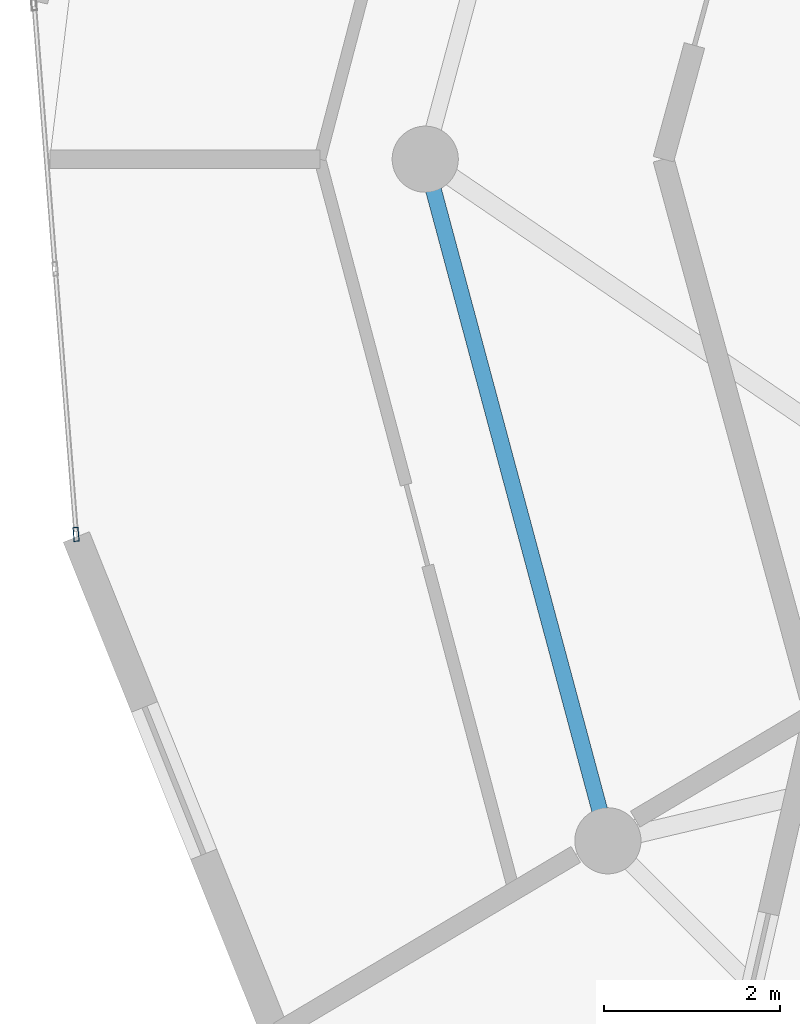
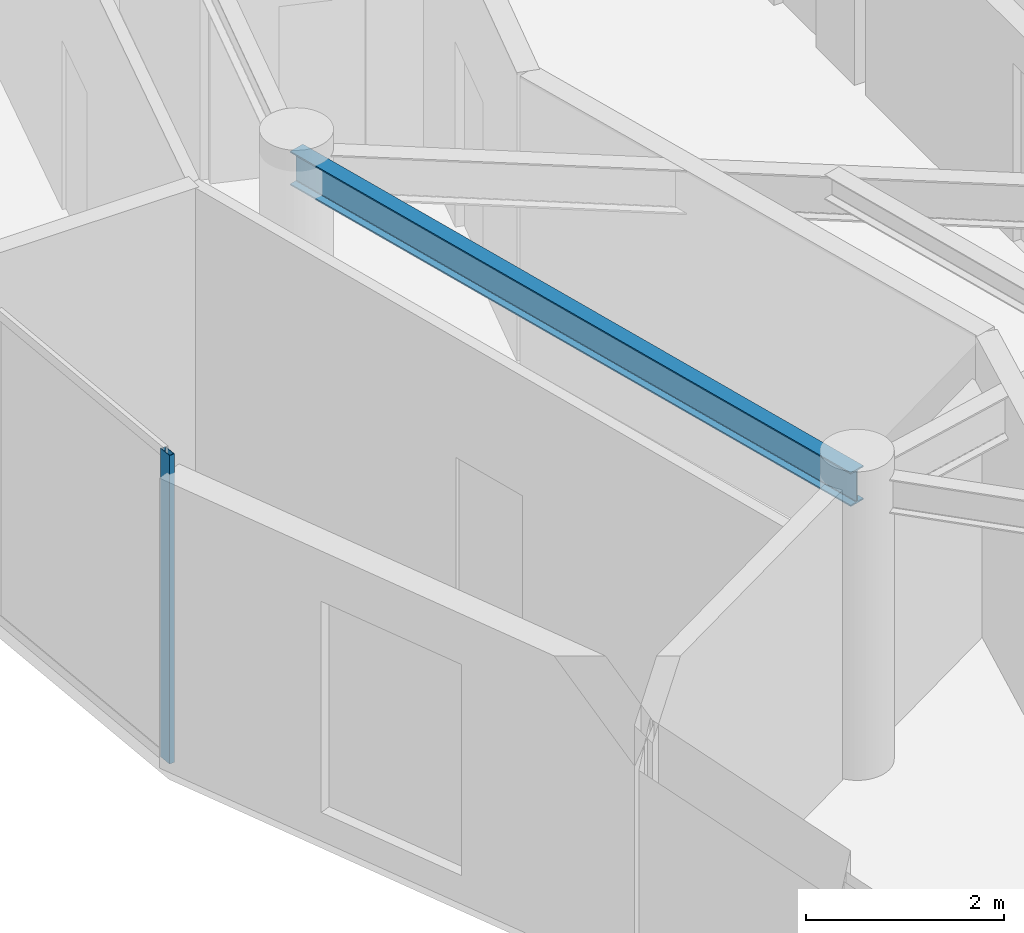
# One storey, part 3 of 22: 1 beam, 1 member, 1 element without a shape of its own.
"""IFC4 building model written with IfcOpenShell, lengths in metres."""

from ifc_helpers import new_model, si_unit, direction, frame, origin, origin_2d, place, context, subcontext, project, spatial, hollow_rectangle, i_section, extrude, source, transform, mapped, material, layer, layer_set, material_profile, profile_set, type_object, element, aggregate, save


model = new_model("IFC4")

# Units and contexts
model_context = context("Model", 3, precision=1e-05, world=origin(), true_north=direction((0.0, 1.0)))
body_context = subcontext(model_context, "Body", "Model", "MODEL_VIEW")
ifc_project = project(units=[si_unit("LENGTHUNIT", "METRE"), si_unit("AREAUNIT", "SQUARE_METRE"), si_unit("VOLUMEUNIT", "CUBIC_METRE"), si_unit("PLANEANGLEUNIT", "RADIAN"), si_unit("MASSUNIT", "GRAM", prefix="KILO")], contexts=[model_context])

# Site, building, storey
site_placement = place(None, origin())
site = spatial("IfcSite", under=ifc_project, at=site_placement, CompositionType="ELEMENT")
building_placement = place(site_placement, origin())
building = spatial("IfcBuilding", under=site, at=building_placement, Name="Solvirekh Grand Hotel", CompositionType="ELEMENT")
storey_placement = place(building_placement, frame((0.0, 0.0, 239.199951171875)))
storey = spatial("IfcBuildingStorey", under=building, at=storey_placement, Name="L62", CompositionType="ELEMENT", Elevation=239.199951171875)

# Beam
ifc_material_1 = material(Name="Steel S355", Category="steel")
ifc_material_profile_1 = material_profile(ifc_material_1, i_section(OverallWidth=0.180908203125, OverallDepth=0.4169921875, WebThickness=0.010009765625, FlangeThickness=0.01611328125, FilletRadius=0.011962890625, at=origin_2d()), Name="W410X85")
ifc_profile_set_1 = profile_set([ifc_material_profile_1], Name="Steel S355")
beam_type = type_object("IfcBeamType", Name="Spandrel_Ring_W410", PredefinedType="SPANDREL", material=ifc_profile_set_1)
beam_placement = place(storey_placement, frame((-15.449951171875, 0.0, 3.362060546875), z_axis=(0.258834757072, -0.965921616143, 0.0), x_axis=(0.965921616143, 0.258834757072, 0.0)))
element("IfcBeam", 1, at=beam_placement, inside=storey, type_object=beam_type, Name="L62 perimeter spandrel beam 7", PredefinedType="SPANDREL", context=body_context, shape_type="SweptSolid", body=[
    extrude(i_section(OverallWidth=0.180908203125, OverallDepth=0.4169921875, WebThickness=0.010009765625, FlangeThickness=0.01611328125, FilletRadius=0.011962890625, at=origin_2d()), origin(), (0.0, 0.0, 1.0), 7.99755859375),
])

# Curtain wall, member
ifc_material_2 = material(Name="Anodized Bronze Aluminium 6063-T6", Category="aluminium")
ifc_layer = layer(ifc_material_2, 0.159912109375)
ifc_layer_set = layer_set([ifc_layer], Name="Anodized Bronze Aluminium 6063-T6")
curtain_wall_type = type_object("IfcCurtainWallType", Name="CW_Sys4_HighZoneFlushBronzeCW", PredefinedType="NOTDEFINED", material=ifc_layer_set)
curtain_wall_placement = place(storey_placement, origin())
curtain_wall = element("IfcCurtainWall", 2, at=curtain_wall_placement, inside=storey, type_object=curtain_wall_type, Name="L62 unitised bronze-glass curtain wall CW-L62-C15", PredefinedType="NOTDEFINED")
ifc_material_profile_2 = material_profile(ifc_material_2, hollow_rectangle(XDim=0.06005859375, YDim=0.159912109375, WallThickness=0.0048828125, at=origin_2d()), Name="ALU RHS 160X60X5")
ifc_profile_set_2 = profile_set([ifc_material_profile_2], Name="Anodized Bronze Aluminium 6063-T6")
member_type = type_object("IfcMemberType", Name="CWMullion_Sys4", PredefinedType="MULLION", material=ifc_profile_set_2)
shared_shape = source(origin(), body_context, "Body", "SweptSolid", [
    extrude(hollow_rectangle(XDim=0.06005859375, YDim=0.159912109375, WallThickness=0.0048828125, at=origin_2d()), origin(), (0.0, 0.0, 1.0), 3.800048828125),
])
member_placement = place(storey_placement, frame((-19.407470703125, -4.252197265625, 0.0), z_axis=(0.0, 0.0, 1.0), x_axis=(0.996869293159, 0.079067138283, 0.0)))
member = element("IfcMember", 3, at=member_placement, type_object=member_type, Name="U04 mullion 3", PredefinedType="MULLION", context=body_context, shape_type="MappedRepresentation", body=[
    mapped(shared_shape, transform((0.0, 0.0, 0.0), x_axis=(1.0, 0.0, 0.0), y_axis=(0.0, 1.0, 0.0), z_axis=(0.0, 0.0, 1.0), scale=1.0)),
])
aggregate(curtain_wall, [member])

save(model, "model.ifc")
